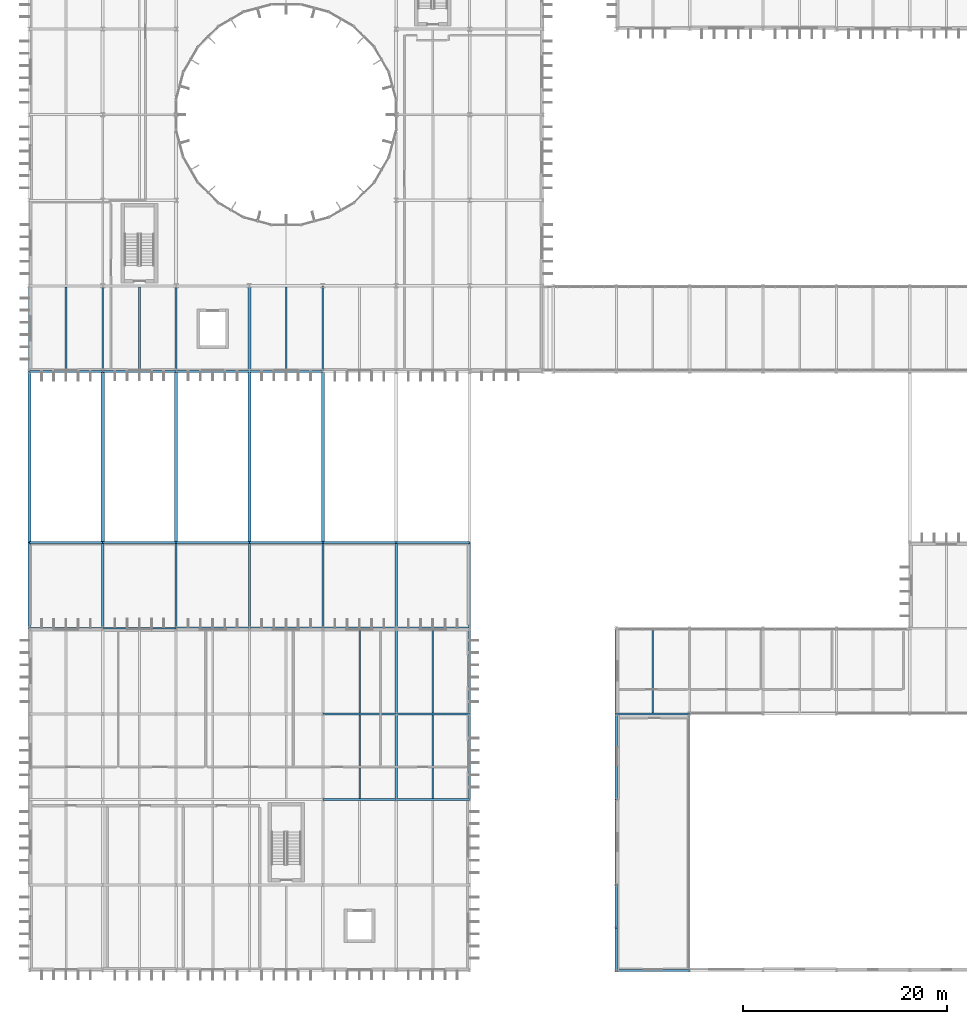
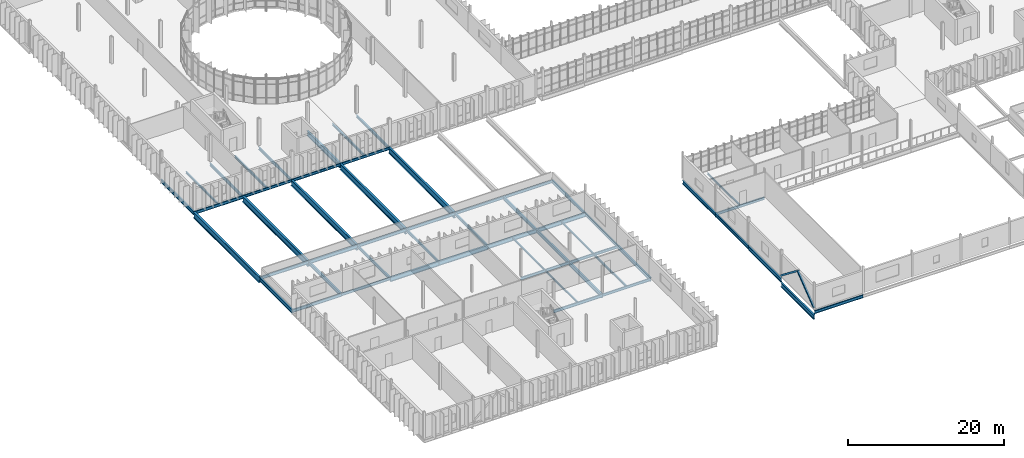
# One storey, part 27 of 119: 55 beams, 2 members.
"""IFC4 building model written with IfcOpenShell, lengths in metres."""

from ifc_helpers import new_model, si_unit, direction, frame, origin, origin_2d, place, context, subcontext, project, spatial, hollow_rectangle, i_section, extrude, material, material_profile, profile_set, type_object, element, save


model = new_model("IFC4")

# Units and contexts
model_context = context("Model", 3, precision=1e-05, world=origin(), true_north=direction((0.0, 1.0)))
body_context = subcontext(model_context, "Body", "Model", "MODEL_VIEW")
ifc_project = project(units=[si_unit("LENGTHUNIT", "METRE"), si_unit("AREAUNIT", "SQUARE_METRE"), si_unit("VOLUMEUNIT", "CUBIC_METRE"), si_unit("PLANEANGLEUNIT", "RADIAN"), si_unit("MASSUNIT", "GRAM", prefix="KILO")], contexts=[model_context])

# Site, building, storey
site_placement = place(None, origin())
site = spatial("IfcSite", under=ifc_project, at=site_placement, CompositionType="ELEMENT")
building_placement = place(site_placement, origin())
building = spatial("IfcBuilding", under=site, at=building_placement, Name="Qelthora Terrace Specialist Clinic", CompositionType="ELEMENT")
storey_placement = place(building_placement, frame((0.0, 0.0, 4.800048828125)))
storey = spatial("IfcBuildingStorey", under=building, at=storey_placement, Name="L01", CompositionType="ELEMENT", Elevation=4.800048828125)

# Beams
ifc_material = material(Name="Steel S355", Category="steel")
ifc_material_profile_1 = material_profile(ifc_material, i_section(OverallWidth=0.178955078125, OverallDepth=0.409912109375, WebThickness=0.0087890625, FlangeThickness=0.014404296875, FilletRadius=0.011962890625, at=origin_2d()), Name="W410X67")
ifc_profile_set_1 = profile_set([ifc_material_profile_1], Name="Steel S355")
beam_type_1 = type_object("IfcBeamType", Name="BM-W410X67", PredefinedType="BEAM", material=ifc_profile_set_1)
for number, where, z_axis, x_axis, name in (
    (1, (28.800048828125, 25.199951171875, -0.455078125), (1.0, 0.0, 0.0), (0.0, 1.0, 0.0), "Girder BMX-L01-0178"),
    (2, (57.60009765625, 25.199951171875, -0.455078125), (1.0, 0.0, 0.0), (0.0, 1.0, 0.0), "Girder BMX-L01-0180"),
    (3, (7.199951171875, 33.60009765625, -0.455078125), (1.0, 0.0, 0.0), (0.0, 1.0, 0.0), "Girder BMX-L01-0196"),
    (4, (36.0, 42.0, -0.455078125), (1.0, 0.0, 0.0), (0.0, 1.0, 0.0), "Girder BMX-L01-0220"),
    (5, (7.199951171875, 58.800048828125, -0.455078125), (1.0, 0.0, 0.0), (0.0, 1.0, 0.0), "Girder BMX-L01-0234"),
    (6, (21.60009765625, 58.800048828125, -0.455078125), (1.0, 0.0, 0.0), (0.0, 1.0, 0.0), "Girder BMX-L01-0236"),
):
    element("IfcBeam", number, at=place(storey_placement, frame(where, z_axis=z_axis, x_axis=x_axis)), inside=storey, type_object=beam_type_1, Name=name, PredefinedType="BEAM", context=body_context, shape_type="SweptSolid", body=[
        extrude(i_section(OverallWidth=0.178955078125, OverallDepth=0.409912109375, WebThickness=0.0087890625, FlangeThickness=0.014404296875, FilletRadius=0.011962890625, at=origin_2d()), origin(), (0.0, 0.0, 1.0), 7.199951171875),
    ])
for number, where, z_axis, x_axis, name in (
    (7, (14.39990234375, 58.800048828125, -0.455078125), (0.0, 1.0, 0.0), (-1.0, 0.0, 0.0), "Girder BMY-L01-0370"),
    (8, (21.60009765625, 33.60009765625, -0.455078125), (0.0, 1.0, 0.0), (-1.0, 0.0, 0.0), "Girder BMY-L01-0380"),
    (9, (28.800048828125, 58.800048828125, -0.455078125), (0.0, 1.0, 0.0), (-1.0, 0.0, 0.0), "Girder BMY-L01-0390"),
):
    element("IfcBeam", number, at=place(storey_placement, frame(where, z_axis=z_axis, x_axis=x_axis)), inside=storey, type_object=beam_type_1, Name=name, PredefinedType="BEAM", context=body_context, shape_type="SweptSolid", body=[
        extrude(i_section(OverallWidth=0.178955078125, OverallDepth=0.409912109375, WebThickness=0.0087890625, FlangeThickness=0.014404296875, FilletRadius=0.011962890625, at=origin_2d()), origin(), (0.0, 0.0, 1.0), 8.39990234375),
    ])
ifc_material_profile_2 = material_profile(ifc_material, i_section(OverallWidth=0.179931640625, OverallDepth=0.4130859375, WebThickness=0.009765625, FlangeThickness=0.01611328125, FilletRadius=0.011962890625, at=origin_2d()), Name="W410X75")
ifc_profile_set_2 = profile_set([ifc_material_profile_2], Name="Steel S355")
beam_type_2 = type_object("IfcBeamType", Name="BM-W410X75", PredefinedType="BEAM", material=ifc_profile_set_2)
for number, where, z_axis, x_axis, name in (
    (10, (36.0, 16.800048828125, -0.45654296875), (1.0, 0.0, 0.0), (0.0, 1.0, 0.0), "Girder BMX-L01-0163"),
    (11, (36.0, 25.199951171875, -0.45654296875), (1.0, 0.0, 0.0), (0.0, 1.0, 0.0), "Girder BMX-L01-0179"),
    (12, (28.800048828125, 42.0, -0.45654296875), (1.0, 0.0, 0.0), (0.0, 1.0, 0.0), "Girder BMX-L01-0219"),
):
    element("IfcBeam", number, at=place(storey_placement, frame(where, z_axis=z_axis, x_axis=x_axis)), inside=storey, type_object=beam_type_2, Name=name, PredefinedType="BEAM", context=body_context, shape_type="SweptSolid", body=[
        extrude(i_section(OverallWidth=0.179931640625, OverallDepth=0.4130859375, WebThickness=0.009765625, FlangeThickness=0.01611328125, FilletRadius=0.011962890625, at=origin_2d()), origin(), (0.0, 0.0, 1.0), 7.199951171875),
    ])
beam_1_placement = place(storey_placement, frame((14.39990234375, 58.800048828125, -0.45654296875), z_axis=(1.0, 0.0, 0.0), x_axis=(0.0, 1.0, 0.0)))
element("IfcBeam", 13, at=beam_1_placement, inside=storey, type_object=beam_type_2, Name="Girder BMX-L01-0235", PredefinedType="BEAM", context=body_context, shape_type="SweptSolid", body=[
    extrude(i_section(OverallWidth=0.179931640625, OverallDepth=0.4130859375, WebThickness=0.009765625, FlangeThickness=0.01611328125, FilletRadius=0.011962890625, at=origin_2d()), origin(), (0.0, 0.0, 1.0), 7.2001953125),
])
ifc_material_profile_3 = material_profile(ifc_material, i_section(OverallWidth=0.19091796875, OverallDepth=0.4599609375, WebThickness=0.010009765625, FlangeThickness=0.01611328125, FilletRadius=0.012939453125, at=origin_2d()), Name="W460X82")
ifc_profile_set_3 = profile_set([ifc_material_profile_3], Name="Steel S355")
beam_type_3 = type_object("IfcBeamType", Name="BM-W460X82", PredefinedType="BEAM", material=ifc_profile_set_3)
for number, where, z_axis, x_axis, name in (
    (14, (28.800048828125, 16.800048828125, -0.47998046875), (1.0, 0.0, 0.0), (0.0, 1.0, 0.0), "Girder BMX-L01-0162"),
    (15, (21.60009765625, 42.0, -0.47998046875), (1.0, 0.0, 0.0), (0.0, 1.0, 0.0), "Girder BMX-L01-0218"),
):
    element("IfcBeam", number, at=place(storey_placement, frame(where, z_axis=z_axis, x_axis=x_axis)), inside=storey, type_object=beam_type_3, Name=name, PredefinedType="BEAM", context=body_context, shape_type="SweptSolid", body=[
        extrude(i_section(OverallWidth=0.19091796875, OverallDepth=0.4599609375, WebThickness=0.010009765625, FlangeThickness=0.01611328125, FilletRadius=0.012939453125, at=origin_2d()), origin(), (0.0, 0.0, 1.0), 7.199951171875),
    ])
for number, where, z_axis, x_axis, name in (
    (16, (7.199951171875, 58.800048828125, -0.47998046875), (0.0, 1.0, 0.0), (-1.0, 0.0, 0.0), "Girder BMY-L01-0358"),
    (17, (14.39990234375, 33.60009765625, -0.47998046875), (0.0, 1.0, 0.0), (-1.0, 0.0, 0.0), "Girder BMY-L01-0368"),
    (18, (28.800048828125, 33.60009765625, -0.47998046875), (0.0, 1.0, 0.0), (-1.0, 0.0, 0.0), "Girder BMY-L01-0388"),
    (19, (43.199951171875, 33.60009765625, -0.47998046875), (0.0, 1.0, 0.0), (-1.0, 0.0, 0.0), "Girder BMY-L01-0408"),
):
    element("IfcBeam", number, at=place(storey_placement, frame(where, z_axis=z_axis, x_axis=x_axis)), inside=storey, type_object=beam_type_3, Name=name, PredefinedType="BEAM", context=body_context, shape_type="SweptSolid", body=[
        extrude(i_section(OverallWidth=0.19091796875, OverallDepth=0.4599609375, WebThickness=0.010009765625, FlangeThickness=0.01611328125, FilletRadius=0.012939453125, at=origin_2d()), origin(), (0.0, 0.0, 1.0), 8.39990234375),
    ])
ifc_material_profile_4 = material_profile(ifc_material, i_section(OverallWidth=0.193115234375, OverallDepth=0.466064453125, WebThickness=0.011474609375, FlangeThickness=0.01904296875, FilletRadius=0.012939453125, at=origin_2d()), Name="W460X97")
ifc_profile_set_4 = profile_set([ifc_material_profile_4], Name="Steel S355")
beam_type_4 = type_object("IfcBeamType", Name="BM-W460X97", PredefinedType="BEAM", material=ifc_profile_set_4)
beam_2_placement = place(storey_placement, frame((14.39990234375, 42.0, -0.483154296875), z_axis=(1.0, 0.0, 0.0), x_axis=(0.0, 1.0, 0.0)))
element("IfcBeam", 20, at=beam_2_placement, inside=storey, type_object=beam_type_4, Name="Girder BMX-L01-0217", PredefinedType="BEAM", context=body_context, shape_type="SweptSolid", body=[
    extrude(i_section(OverallWidth=0.193115234375, OverallDepth=0.466064453125, WebThickness=0.011474609375, FlangeThickness=0.01904296875, FilletRadius=0.012939453125, at=origin_2d()), origin(), (0.0, 0.0, 1.0), 7.2001953125),
])
beam_3_placement = place(storey_placement, frame((43.199951171875, 25.199951171875, -0.483154296875), z_axis=(0.0, 1.0, 0.0), x_axis=(-1.0, 0.0, 0.0)))
element("IfcBeam", 21, at=beam_3_placement, inside=storey, type_object=beam_type_4, Name="Girder BMY-L01-0407", PredefinedType="BEAM", context=body_context, shape_type="SweptSolid", body=[
    extrude(i_section(OverallWidth=0.193115234375, OverallDepth=0.466064453125, WebThickness=0.011474609375, FlangeThickness=0.01904296875, FilletRadius=0.012939453125, at=origin_2d()), origin(), (0.0, 0.0, 1.0), 8.400146484375),
])
ifc_material_profile_5 = material_profile(ifc_material, i_section(OverallWidth=0.2099609375, OverallDepth=0.537109375, WebThickness=0.010986328125, FlangeThickness=0.017333984375, FilletRadius=0.013916015625, at=origin_2d()), Name="W530X101")
ifc_profile_set_5 = profile_set([ifc_material_profile_5], Name="Steel S355")
beam_type_5 = type_object("IfcBeamType", Name="BM-W530X101", PredefinedType="BEAM", material=ifc_profile_set_5)
beam_4_placement = place(storey_placement, frame((7.199951171875, 42.0, -0.5185546875), z_axis=(1.0, 0.0, 0.0), x_axis=(0.0, 1.0, 0.0)))
element("IfcBeam", 22, at=beam_4_placement, inside=storey, type_object=beam_type_5, Name="Girder BMX-L01-0216", PredefinedType="BEAM", context=body_context, shape_type="SweptSolid", body=[
    extrude(i_section(OverallWidth=0.2099609375, OverallDepth=0.537109375, WebThickness=0.010986328125, FlangeThickness=0.017333984375, FilletRadius=0.013916015625, at=origin_2d()), origin(), (0.0, 0.0, 1.0), 7.199951171875),
])
for number, where, z_axis, x_axis, name in (
    (23, (0.0, 58.800048828125, -0.5185546875), (0.0, 1.0, 0.0), (-1.0, 0.0, 0.0), "Girder BMY-L01-0346"),
    (24, (7.199951171875, 33.60009765625, -0.5185546875), (0.0, 1.0, 0.0), (-1.0, 0.0, 0.0), "Girder BMY-L01-0356"),
    (25, (36.0, 33.60009765625, -0.5185546875), (0.0, 1.0, 0.0), (-1.0, 0.0, 0.0), "Girder BMY-L01-0396"),
    (26, (43.199951171875, 16.800048828125, -0.5185546875), (0.0, 1.0, 0.0), (-1.0, 0.0, 0.0), "Girder BMY-L01-0406"),
):
    element("IfcBeam", number, at=place(storey_placement, frame(where, z_axis=z_axis, x_axis=x_axis)), inside=storey, type_object=beam_type_5, Name=name, PredefinedType="BEAM", context=body_context, shape_type="SweptSolid", body=[
        extrude(i_section(OverallWidth=0.2099609375, OverallDepth=0.537109375, WebThickness=0.010986328125, FlangeThickness=0.017333984375, FilletRadius=0.013916015625, at=origin_2d()), origin(), (0.0, 0.0, 1.0), 8.39990234375),
    ])
beam_5_placement = place(storey_placement, frame((57.60009765625, 25.199951171875, -0.5185546875), z_axis=(0.0, 1.0, 0.0), x_axis=(-1.0, 0.0, 0.0)))
element("IfcBeam", 27, at=beam_5_placement, inside=storey, type_object=beam_type_5, Name="Girder BMY-L01-0426", PredefinedType="BEAM", context=body_context, shape_type="SweptSolid", body=[
    extrude(i_section(OverallWidth=0.2099609375, OverallDepth=0.537109375, WebThickness=0.010986328125, FlangeThickness=0.017333984375, FilletRadius=0.013916015625, at=origin_2d()), origin(), (0.0, 0.0, 1.0), 8.400146484375),
])
ifc_material_profile_6 = material_profile(ifc_material, i_section(OverallWidth=0.2119140625, OverallDepth=0.5439453125, WebThickness=0.01318359375, FlangeThickness=0.021240234375, FilletRadius=0.013916015625, at=origin_2d()), Name="W530X123")
ifc_profile_set_6 = profile_set([ifc_material_profile_6], Name="Steel S355")
beam_type_6 = type_object("IfcBeamType", Name="BM-W530X123", PredefinedType="BEAM", material=ifc_profile_set_6)
beam_6_placement = place(storey_placement, frame((36.0, 25.199951171875, -0.52197265625), z_axis=(0.0, 1.0, 0.0), x_axis=(-1.0, 0.0, 0.0)))
element("IfcBeam", 28, at=beam_6_placement, inside=storey, type_object=beam_type_6, Name="Girder BMY-L01-0395", PredefinedType="BEAM", context=body_context, shape_type="SweptSolid", body=[
    extrude(i_section(OverallWidth=0.2119140625, OverallDepth=0.5439453125, WebThickness=0.01318359375, FlangeThickness=0.021240234375, FilletRadius=0.013916015625, at=origin_2d()), origin(), (0.0, 0.0, 1.0), 8.400146484375),
])
beam_7_placement = place(storey_placement, frame((57.60009765625, 16.800048828125, -0.52197265625), z_axis=(0.0, 1.0, 0.0), x_axis=(-1.0, 0.0, 0.0)))
element("IfcBeam", 29, at=beam_7_placement, inside=storey, type_object=beam_type_6, Name="Girder BMY-L01-0425", PredefinedType="BEAM", context=body_context, shape_type="SweptSolid", body=[
    extrude(i_section(OverallWidth=0.2119140625, OverallDepth=0.5439453125, WebThickness=0.01318359375, FlangeThickness=0.021240234375, FilletRadius=0.013916015625, at=origin_2d()), origin(), (0.0, 0.0, 1.0), 8.39990234375),
])
ifc_material_profile_7 = material_profile(ifc_material, i_section(OverallWidth=0.22900390625, OverallDepth=0.612060546875, WebThickness=0.011962890625, FlangeThickness=0.01953125, FilletRadius=0.01611328125, at=origin_2d()), Name="W610X125")
ifc_profile_set_7 = profile_set([ifc_material_profile_7], Name="Steel S355")
beam_type_7 = type_object("IfcBeamType", Name="BM-W610X125", PredefinedType="BEAM", material=ifc_profile_set_7)
beam_8_placement = place(storey_placement, frame((36.0, 33.60009765625, -0.55615234375), z_axis=(1.0, 0.0, 0.0), x_axis=(0.0, 1.0, 0.0)))
element("IfcBeam", 30, at=beam_8_placement, inside=storey, type_object=beam_type_7, Name="Girder BMX-L01-0200", PredefinedType="BEAM", context=body_context, shape_type="SweptSolid", body=[
    extrude(i_section(OverallWidth=0.22900390625, OverallDepth=0.612060546875, WebThickness=0.011962890625, FlangeThickness=0.01953125, FilletRadius=0.01611328125, at=origin_2d()), origin(), (0.0, 0.0, 1.0), 7.199951171875),
])
ifc_material_profile_8 = material_profile(ifc_material, i_section(OverallWidth=0.22998046875, OverallDepth=0.616943359375, WebThickness=0.01318359375, FlangeThickness=0.022216796875, FilletRadius=0.01611328125, at=origin_2d()), Name="W610X140")
ifc_profile_set_8 = profile_set([ifc_material_profile_8], Name="Steel S355")
beam_type_8 = type_object("IfcBeamType", Name="BM-W610X140", PredefinedType="BEAM", material=ifc_profile_set_8)
beam_9_placement = place(storey_placement, frame((28.800048828125, 33.60009765625, -0.55859375), z_axis=(1.0, 0.0, 0.0), x_axis=(0.0, 1.0, 0.0)))
element("IfcBeam", 31, at=beam_9_placement, inside=storey, type_object=beam_type_8, Name="Girder BMX-L01-0199", PredefinedType="BEAM", context=body_context, shape_type="SweptSolid", body=[
    extrude(i_section(OverallWidth=0.22998046875, OverallDepth=0.616943359375, WebThickness=0.01318359375, FlangeThickness=0.022216796875, FilletRadius=0.01611328125, at=origin_2d()), origin(), (0.0, 0.0, 1.0), 7.199951171875),
])
for number, where, z_axis, x_axis, name in (
    (32, (0.0, 33.60009765625, -0.55859375), (0.0, 1.0, 0.0), (-1.0, 0.0, 0.0), "Girder BMY-L01-0344"),
    (33, (36.0, 16.800048828125, -0.55859375), (0.0, 1.0, 0.0), (-1.0, 0.0, 0.0), "Girder BMY-L01-0394"),
):
    element("IfcBeam", number, at=place(storey_placement, frame(where, z_axis=z_axis, x_axis=x_axis)), inside=storey, type_object=beam_type_8, Name=name, PredefinedType="BEAM", context=body_context, shape_type="SweptSolid", body=[
        extrude(i_section(OverallWidth=0.22998046875, OverallDepth=0.616943359375, WebThickness=0.01318359375, FlangeThickness=0.022216796875, FilletRadius=0.01611328125, at=origin_2d()), origin(), (0.0, 0.0, 1.0), 8.39990234375),
    ])
beam_10_placement = place(storey_placement, frame((57.60009765625, 8.39990234375, -0.55859375), z_axis=(0.0, 1.0, 0.0), x_axis=(-1.0, 0.0, 0.0)))
element("IfcBeam", 34, at=beam_10_placement, inside=storey, type_object=beam_type_8, Name="Girder BMY-L01-0424", PredefinedType="BEAM", context=body_context, shape_type="SweptSolid", body=[
    extrude(i_section(OverallWidth=0.22998046875, OverallDepth=0.616943359375, WebThickness=0.01318359375, FlangeThickness=0.022216796875, FilletRadius=0.01611328125, at=origin_2d()), origin(), (0.0, 0.0, 1.0), 8.400146484375),
])
ifc_material_profile_9 = material_profile(ifc_material, i_section(OverallWidth=0.25390625, OverallDepth=0.68798828125, WebThickness=0.01318359375, FlangeThickness=0.02099609375, FilletRadius=0.01806640625, at=origin_2d()), Name="W690X152")
ifc_profile_set_9 = profile_set([ifc_material_profile_9], Name="Steel S355")
beam_type_9 = type_object("IfcBeamType", Name="BM-W690X152", PredefinedType="BEAM", material=ifc_profile_set_9)
beam_11_placement = place(storey_placement, frame((21.60009765625, 33.60009765625, -0.593994140625), z_axis=(1.0, 0.0, 0.0), x_axis=(0.0, 1.0, 0.0)))
element("IfcBeam", 35, at=beam_11_placement, inside=storey, type_object=beam_type_9, Name="Girder BMX-L01-0198", PredefinedType="BEAM", context=body_context, shape_type="SweptSolid", body=[
    extrude(i_section(OverallWidth=0.25390625, OverallDepth=0.68798828125, WebThickness=0.01318359375, FlangeThickness=0.02099609375, FilletRadius=0.01806640625, at=origin_2d()), origin(), (0.0, 0.0, 1.0), 7.199951171875),
])
ifc_material_profile_10 = material_profile(ifc_material, i_section(OverallWidth=0.256103515625, OverallDepth=0.693115234375, WebThickness=0.014404296875, FlangeThickness=0.023681640625, FilletRadius=0.01806640625, at=origin_2d()), Name="W690X170")
ifc_profile_set_10 = profile_set([ifc_material_profile_10], Name="Steel S355")
beam_type_10 = type_object("IfcBeamType", Name="BM-W690X170", PredefinedType="BEAM", material=ifc_profile_set_10)
beam_12_placement = place(storey_placement, frame((14.39990234375, 33.60009765625, -0.596435546875), z_axis=(1.0, 0.0, 0.0), x_axis=(0.0, 1.0, 0.0)))
element("IfcBeam", 36, at=beam_12_placement, inside=storey, type_object=beam_type_10, Name="Girder BMX-L01-0197", PredefinedType="BEAM", context=body_context, shape_type="SweptSolid", body=[
    extrude(i_section(OverallWidth=0.256103515625, OverallDepth=0.693115234375, WebThickness=0.014404296875, FlangeThickness=0.023681640625, FilletRadius=0.01806640625, at=origin_2d()), origin(), (0.0, 0.0, 1.0), 7.2001953125),
])
beam_13_placement = place(storey_placement, frame((57.60009765625, 0.0, -1.24560546875), z_axis=(0.0, 1.0, 0.0), x_axis=(-1.0, 0.0, 0.0)))
element("IfcBeam", 37, at=beam_13_placement, inside=storey, type_object=beam_type_10, Name="Girder BMY-L01-0423", PredefinedType="BEAM", context=body_context, shape_type="SweptSolid", body=[
    extrude(i_section(OverallWidth=0.256103515625, OverallDepth=0.693115234375, WebThickness=0.014404296875, FlangeThickness=0.023681640625, FilletRadius=0.01806640625, at=origin_2d()), origin(), (0.0, 0.0, 1.0), 8.39990234375),
])
ifc_material_profile_11 = material_profile(ifc_material, i_section(OverallWidth=0.26806640625, OverallDepth=0.77001953125, WebThickness=0.015625, FlangeThickness=0.025390625, FilletRadius=0.01904296875, at=origin_2d()), Name="W760X196")
ifc_profile_set_11 = profile_set([ifc_material_profile_11], Name="Steel S355")
beam_type_11 = type_object("IfcBeamType", Name="BM-W760X196", PredefinedType="BEAM", material=ifc_profile_set_11)
beam_14_placement = place(storey_placement, frame((21.60009765625, 58.800048828125, -0.635009765625), z_axis=(0.0, 1.0, 0.0), x_axis=(-1.0, 0.0, 0.0)))
element("IfcBeam", 38, at=beam_14_placement, inside=storey, type_object=beam_type_11, Name="Girder BMY-L01-0382", PredefinedType="BEAM", context=body_context, shape_type="SweptSolid", body=[
    extrude(i_section(OverallWidth=0.26806640625, OverallDepth=0.77001953125, WebThickness=0.015625, FlangeThickness=0.025390625, FilletRadius=0.01904296875, at=origin_2d()), origin(), (0.0, 0.0, 1.0), 8.39990234375),
])
ifc_material_profile_12 = material_profile(ifc_material, i_section(OverallWidth=0.30810546875, OverallDepth=0.927001953125, WebThickness=0.019287109375, FlangeThickness=0.031982421875, FilletRadius=0.02197265625, at=origin_2d()), Name="W920X289")
ifc_profile_set_12 = profile_set([ifc_material_profile_12], Name="Steel S355")
beam_type_12 = type_object("IfcBeamType", Name="BM-W920X289", PredefinedType="BEAM", material=ifc_profile_set_12)
for number, where, z_axis, x_axis, name in (
    (39, (0.0, 42.0, -0.713623046875), (0.0, 1.0, 0.0), (-1.0, 0.0, 0.0), "Girder BMY-L01-0345"),
    (40, (7.199951171875, 42.0, -0.713623046875), (0.0, 1.0, 0.0), (-1.0, 0.0, 0.0), "Girder BMY-L01-0357"),
    (41, (14.39990234375, 42.0, -0.713623046875), (0.0, 1.0, 0.0), (-1.0, 0.0, 0.0), "Girder BMY-L01-0369"),
    (42, (21.60009765625, 42.0, -0.713623046875), (0.0, 1.0, 0.0), (-1.0, 0.0, 0.0), "Girder BMY-L01-0381"),
    (43, (28.800048828125, 42.0, -0.713623046875), (0.0, 1.0, 0.0), (-1.0, 0.0, 0.0), "Girder BMY-L01-0389"),
):
    element("IfcBeam", number, at=place(storey_placement, frame(where, z_axis=z_axis, x_axis=x_axis)), inside=storey, type_object=beam_type_12, Name=name, PredefinedType="BEAM", context=body_context, shape_type="SweptSolid", body=[
        extrude(i_section(OverallWidth=0.30810546875, OverallDepth=0.927001953125, WebThickness=0.019287109375, FlangeThickness=0.031982421875, FilletRadius=0.02197265625, at=origin_2d()), origin(), (0.0, 0.0, 1.0), 16.800048828125),
    ])
ifc_material_profile_13 = material_profile(ifc_material, i_section(OverallWidth=0.14599609375, OverallDepth=0.258056640625, WebThickness=0.006103515625, FlangeThickness=0.009033203125, FilletRadius=0.009033203125, at=origin_2d()), Name="W250X33")
ifc_profile_set_13 = profile_set([ifc_material_profile_13], Name="Steel S355")
beam_type_13 = type_object("IfcBeamType", Name="JST-W250X33", PredefinedType="JOIST", material=ifc_profile_set_13)
beam_15_placement = place(storey_placement, frame((32.39990234375, 25.28955078125, -0.379150390625), z_axis=(0.0, 1.0, 0.0), x_axis=(-1.0, 0.0, 0.0)))
element("IfcBeam", 44, at=beam_15_placement, inside=storey, type_object=beam_type_13, Name="Composite floor joist JST-L01-0072", PredefinedType="JOIST", context=body_context, shape_type="SweptSolid", body=[
    extrude(i_section(OverallWidth=0.14599609375, OverallDepth=0.258056640625, WebThickness=0.006103515625, FlangeThickness=0.009033203125, FilletRadius=0.009033203125, at=origin_2d()), origin(), (0.0, 0.0, 1.0), 8.195556640625),
])
ifc_material_profile_14 = material_profile(ifc_material, i_section(OverallWidth=0.14697265625, OverallDepth=0.261962890625, WebThickness=0.006591796875, FlangeThickness=0.01123046875, FilletRadius=0.009033203125, at=origin_2d()), Name="W250X39")
ifc_profile_set_14 = profile_set([ifc_material_profile_14], Name="Steel S355")
beam_type_14 = type_object("IfcBeamType", Name="JST-W250X39", PredefinedType="JOIST", material=ifc_profile_set_14)
beam_16_placement = place(storey_placement, frame((32.39990234375, 16.8955078125, -0.381103515625), z_axis=(0.0, 1.0, 0.0), x_axis=(-1.0, 0.0, 0.0)))
element("IfcBeam", 45, at=beam_16_placement, inside=storey, type_object=beam_type_14, Name="Composite floor joist JST-L01-0071", PredefinedType="JOIST", context=body_context, shape_type="SweptSolid", body=[
    extrude(i_section(OverallWidth=0.14697265625, OverallDepth=0.261962890625, WebThickness=0.006591796875, FlangeThickness=0.01123046875, FilletRadius=0.009033203125, at=origin_2d()), origin(), (0.0, 0.0, 1.0), 8.215087890625),
])
beam_17_placement = place(storey_placement, frame((39.60009765625, 25.2900390625, -0.381103515625), z_axis=(0.0, 1.0, 0.0), x_axis=(-1.0, 0.0, 0.0)))
element("IfcBeam", 46, at=beam_17_placement, inside=storey, type_object=beam_type_14, Name="Composite floor joist JST-L01-0077", PredefinedType="JOIST", context=body_context, shape_type="SweptSolid", body=[
    extrude(i_section(OverallWidth=0.14697265625, OverallDepth=0.261962890625, WebThickness=0.006591796875, FlangeThickness=0.01123046875, FilletRadius=0.009033203125, at=origin_2d()), origin(), (0.0, 0.0, 1.0), 8.195556640625),
])
beam_18_placement = place(storey_placement, frame((61.199951171875, 25.28955078125, -0.381103515625), z_axis=(0.0, 1.0, 0.0), x_axis=(-1.0, 0.0, 0.0)))
element("IfcBeam", 47, at=beam_18_placement, inside=storey, type_object=beam_type_14, Name="Composite floor joist JST-L01-0089", PredefinedType="JOIST", context=body_context, shape_type="SweptSolid", body=[
    extrude(i_section(OverallWidth=0.14697265625, OverallDepth=0.261962890625, WebThickness=0.006591796875, FlangeThickness=0.01123046875, FilletRadius=0.009033203125, at=origin_2d()), origin(), (0.0, 0.0, 1.0), 8.204345703125),
])
ifc_material_profile_15 = material_profile(ifc_material, i_section(OverallWidth=0.166015625, OverallDepth=0.31298828125, WebThickness=0.006591796875, FlangeThickness=0.01123046875, FilletRadius=0.010009765625, at=origin_2d()), Name="W310X45")
ifc_profile_set_15 = profile_set([ifc_material_profile_15], Name="Steel S355")
beam_type_15 = type_object("IfcBeamType", Name="JST-W310X45", PredefinedType="JOIST", material=ifc_profile_set_15)
beam_19_placement = place(storey_placement, frame((3.60009765625, 58.8955078125, -0.406494140625), z_axis=(0.0, 1.0, 0.0), x_axis=(-1.0, 0.0, 0.0)))
element("IfcBeam", 48, at=beam_19_placement, inside=storey, type_object=beam_type_15, Name="Composite floor joist JST-L01-0046", PredefinedType="JOIST", context=body_context, shape_type="SweptSolid", body=[
    extrude(i_section(OverallWidth=0.166015625, OverallDepth=0.31298828125, WebThickness=0.006591796875, FlangeThickness=0.01123046875, FilletRadius=0.010009765625, at=origin_2d()), origin(), (0.0, 0.0, 1.0), 8.208984375),
])
beam_20_placement = place(storey_placement, frame((39.60009765625, 16.889892578125, -0.406494140625), z_axis=(0.0, 1.0, 0.0), x_axis=(-1.0, 0.0, 0.0)))
element("IfcBeam", 49, at=beam_20_placement, inside=storey, type_object=beam_type_15, Name="Composite floor joist JST-L01-0076", PredefinedType="JOIST", context=body_context, shape_type="SweptSolid", body=[
    extrude(i_section(OverallWidth=0.166015625, OverallDepth=0.31298828125, WebThickness=0.006591796875, FlangeThickness=0.01123046875, FilletRadius=0.010009765625, at=origin_2d()), origin(), (0.0, 0.0, 1.0), 8.22021484375),
])
ifc_material_profile_16 = material_profile(ifc_material, i_section(OverallWidth=0.172119140625, OverallDepth=0.35791015625, WebThickness=0.0078125, FlangeThickness=0.01318359375, FilletRadius=0.010986328125, at=origin_2d()), Name="W360X57")
ifc_profile_set_16 = profile_set([ifc_material_profile_16], Name="Steel S355")
beam_type_16 = type_object("IfcBeamType", Name="JST-W360X57", PredefinedType="JOIST", material=ifc_profile_set_16)
beam_21_placement = place(storey_placement, frame((10.800048828125, 58.889404296875, -0.428955078125), z_axis=(0.0, 1.0, 0.0), x_axis=(-1.0, 0.0, 0.0)))
element("IfcBeam", 50, at=beam_21_placement, inside=storey, type_object=beam_type_16, Name="Composite floor joist JST-L01-0056", PredefinedType="JOIST", context=body_context, shape_type="SweptSolid", body=[
    extrude(i_section(OverallWidth=0.172119140625, OverallDepth=0.35791015625, WebThickness=0.0078125, FlangeThickness=0.01318359375, FilletRadius=0.010986328125, at=origin_2d()), origin(), (0.0, 0.0, 1.0), 8.215087890625),
])
beam_22_placement = place(storey_placement, frame((25.199951171875, 58.889404296875, -0.428955078125), z_axis=(0.0, 1.0, 0.0), x_axis=(-1.0, 0.0, 0.0)))
element("IfcBeam", 51, at=beam_22_placement, inside=storey, type_object=beam_type_16, Name="Composite floor joist JST-L01-0068", PredefinedType="JOIST", context=body_context, shape_type="SweptSolid", body=[
    extrude(i_section(OverallWidth=0.172119140625, OverallDepth=0.35791015625, WebThickness=0.0078125, FlangeThickness=0.01318359375, FilletRadius=0.010986328125, at=origin_2d()), origin(), (0.0, 0.0, 1.0), 8.1826171875),
])

# Members
ifc_material_profile_17 = material_profile(ifc_material, hollow_rectangle(XDim=0.25, YDim=0.25, WallThickness=0.011962890625, at=origin_2d()), Name="HSS250X250X12")
ifc_profile_set_17 = profile_set([ifc_material_profile_17], Name="Steel S355")
member_type = type_object("IfcMemberType", Name="MEM-BRACE-HSS250H", PredefinedType="BRACE", material=ifc_profile_set_17)
for number, where, z_axis, x_axis, name in (
    (52, (57.60009765625, 0.0, 0.179931640625), (0.0, 0.789043399971, 0.614337458537), (-1.0, 0.0, 0.0), "Concentric seismic chevron brace B5-L01A"),
    (53, (57.60009765625, 8.39990234375, 0.179931640625), (0.0, -0.789043399971, 0.614337458537), (1.0, 0.0, 0.0), "Concentric seismic chevron brace B5-L01B"),
):
    element("IfcMember", number, at=place(storey_placement, frame(where, z_axis=z_axis, x_axis=x_axis)), inside=storey, type_object=member_type, Name=name, PredefinedType="BRACE", context=body_context, shape_type="SweptSolid", body=[
        extrude(hollow_rectangle(XDim=0.25, YDim=0.25, WallThickness=0.011962890625, at=origin_2d()), origin(), (0.0, 0.0, 1.0), 5.32275390625),
    ])

# Beams
ifc_material_profile_18 = material_profile(ifc_material, i_section(OverallWidth=0.19091796875, OverallDepth=0.4599609375, WebThickness=0.010009765625, FlangeThickness=0.01611328125, FilletRadius=0.012939453125, at=origin_2d()), Name="W460X82")
ifc_profile_set_18 = profile_set([ifc_material_profile_18], Name="Steel S355")
beam_type_17 = type_object("IfcBeamType", Name="SPD-W460X82", PredefinedType="SPANDREL", material=ifc_profile_set_18)
for number, where, z_axis, x_axis, name in (
    (54, (57.60009765625, 0.0, -0.47998046875), (1.0, 0.0, 0.0), (0.0, 1.0, 0.0), "Girder BMX-L01-0133"),
    (55, (0.0, 33.60009765625, -0.47998046875), (1.0, 0.0, 0.0), (0.0, 1.0, 0.0), "Girder BMX-L01-0195"),
    (56, (0.0, 42.0, -0.47998046875), (1.0, 0.0, 0.0), (0.0, 1.0, 0.0), "Girder BMX-L01-0215"),
    (57, (0.0, 58.800048828125, -0.47998046875), (1.0, 0.0, 0.0), (0.0, 1.0, 0.0), "Girder BMX-L01-0233"),
):
    element("IfcBeam", number, at=place(storey_placement, frame(where, z_axis=z_axis, x_axis=x_axis)), inside=storey, type_object=beam_type_17, Name=name, PredefinedType="SPANDREL", context=body_context, shape_type="SweptSolid", body=[
        extrude(i_section(OverallWidth=0.19091796875, OverallDepth=0.4599609375, WebThickness=0.010009765625, FlangeThickness=0.01611328125, FilletRadius=0.012939453125, at=origin_2d()), origin(), (0.0, 0.0, 1.0), 7.199951171875),
    ])

save(model, "model.ifc")
